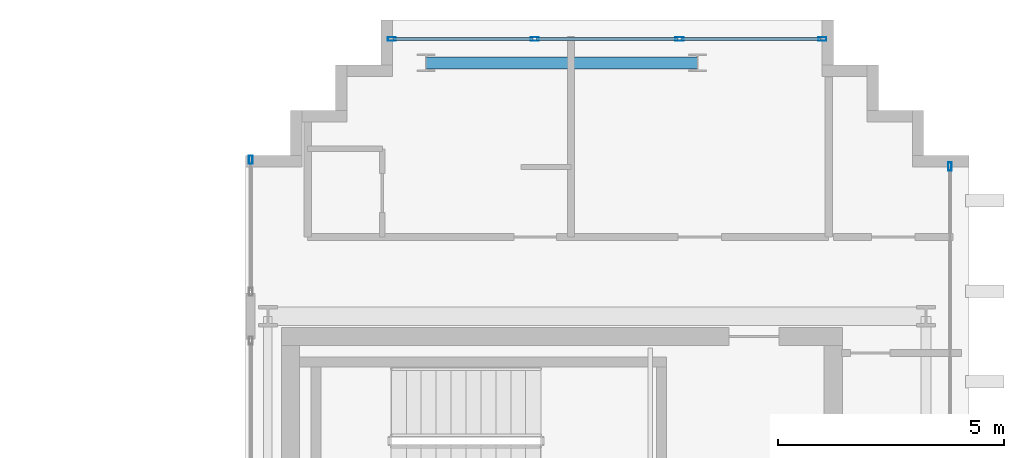
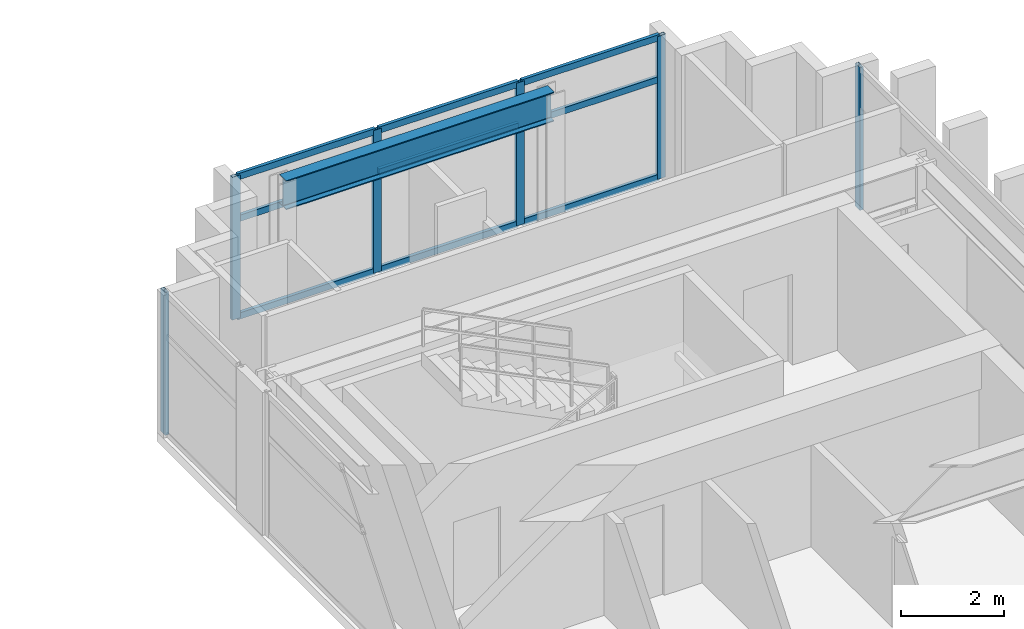
# One storey, part 17 of 25: 15 members, 1 beam, 3 elements without a shape of their own.
"""IFC4 building model written with IfcOpenShell, lengths in metres."""

from ifc_helpers import new_model, si_unit, direction, frame, origin, origin_2d, place, context, subcontext, project, spatial, hollow_rectangle, i_section, extrude, source, transform, mapped, material, layer, layer_set, material_profile, profile_set, type_object, element, aggregate, save


model = new_model("IFC4")

# Units and contexts
model_context = context("Model", 3, precision=1e-05, world=origin(), true_north=direction((0.0, 1.0)))
body_context = subcontext(model_context, "Body", "Model", "MODEL_VIEW")
ifc_project = project(units=[si_unit("LENGTHUNIT", "METRE"), si_unit("AREAUNIT", "SQUARE_METRE"), si_unit("VOLUMEUNIT", "CUBIC_METRE"), si_unit("PLANEANGLEUNIT", "RADIAN"), si_unit("MASSUNIT", "GRAM", prefix="KILO")], contexts=[model_context])

# Site, building, storey
site_placement = place(None, origin())
site = spatial("IfcSite", under=ifc_project, at=site_placement, CompositionType="ELEMENT")
building_placement = place(site_placement, origin())
building = spatial("IfcBuilding", under=site, at=building_placement, Name="Ocotamira Hotel", CompositionType="ELEMENT")
storey_placement = place(building_placement, frame((0.0, 0.0, 254.39990234375)))
storey = spatial("IfcBuildingStorey", under=building, at=storey_placement, Name="L64", CompositionType="ELEMENT", Elevation=254.39990234375)

# Beam
ifc_material_1 = material(Name="Steel ASTM A992 Grade 50", Category="steel")
ifc_material_profile_1 = material_profile(ifc_material_1, i_section(OverallWidth=0.256103515625, OverallDepth=0.693115234375, WebThickness=0.014404296875, FlangeThickness=0.023681640625, FilletRadius=0.01611328125, at=origin_2d()), Name="W27X114")
ifc_profile_set_1 = profile_set([ifc_material_profile_1], Name="Steel ASTM A992 Grade 50")
beam_type = type_object("IfcBeamType", Name="BM-PRIM-W27X114", PredefinedType="BEAM", material=ifc_profile_set_1)
shared_shape_1 = source(origin(), body_context, "Body", "SweptSolid", [
    extrude(i_section(OverallWidth=0.256103515625, OverallDepth=0.693115234375, WebThickness=0.014404296875, FlangeThickness=0.023681640625, FilletRadius=0.01611328125, at=origin_2d()), origin(), (0.0, 0.0, 1.0), 6.0),
])
beam_placement = place(storey_placement, frame((44.0, 43.050048828125, 3.03369140625), z_axis=(1.0, 0.0, 0.0), x_axis=(0.0, 1.0, 0.0)))
element("IfcBeam", 1, at=beam_placement, inside=storey, type_object=beam_type, Name="L64 Girder Y43.05 X44-50", PredefinedType="BEAM", context=body_context, shape_type="MappedRepresentation", body=[
    mapped(shared_shape_1, transform((0.0, 0.0, 0.0), scale=1.0)),
])

# Curtain wall, members
ifc_material_2 = material(Name="Anodised pale-metal aluminium and solar glass", Category="aluminium")
ifc_layer = layer(ifc_material_2, 0.2099609375)
ifc_layer_set = layer_set([ifc_layer], Name="Anodised pale-metal aluminium and solar glass")
curtain_wall_type = type_object("IfcCurtainWallType", Name="CW-SYS7-PEAK", PredefinedType="NOTDEFINED", material=ifc_layer_set)
curtain_wall_1_placement = place(storey_placement, origin())
curtain_wall_1 = element("IfcCurtainWall", 2, at=curtain_wall_1_placement, inside=storey, type_object=curtain_wall_type, Name="L64 Curtain Wall CW-7 CW-L64-EN", PredefinedType="NOTDEFINED")
ifc_material_3 = material(Name="Anodised pale-metal aluminium 6063-T6", Category="aluminium")
ifc_material_profile_2 = material_profile(ifc_material_3, hollow_rectangle(XDim=0.080078125, YDim=0.179931640625, WallThickness=0.006103515625, at=origin_2d()), Name="HSS180X80X6")
ifc_profile_set_2 = profile_set([ifc_material_profile_2], Name="Anodised pale-metal aluminium 6063-T6")
member_type_1 = type_object("IfcMemberType", Name="CWM-180X75", PredefinedType="MULLION", material=ifc_profile_set_2)
shared_shape_2 = source(origin(), body_context, "Body", "SweptSolid", [
    extrude(hollow_rectangle(XDim=0.080078125, YDim=0.179931640625, WallThickness=0.006103515625, at=origin_2d()), origin(), (0.0, 0.0, 1.0), 3.380126953125),
])
member_1_placement = place(storey_placement, frame((43.239990234375, 43.580078125, 0.0), z_axis=(0.0, 0.0, 1.0), x_axis=(0.0, 1.0, 0.0)))
member_1 = element("IfcMember", 3, at=member_1_placement, type_object=member_type_1, Name="CW-7 mullion 1", PredefinedType="MULLION", context=body_context, shape_type="MappedRepresentation", body=[
    mapped(shared_shape_2, transform((0.0, 0.0, 0.0), scale=1.0)),
])
member_2_placement = place(storey_placement, frame((46.39990234375, 43.580078125, 0.0), z_axis=(0.0, 0.0, 1.0), x_axis=(0.0, 1.0, 0.0)))
member_2 = element("IfcMember", 4, at=member_2_placement, type_object=member_type_1, Name="CW-7 mullion 2", PredefinedType="MULLION", context=body_context, shape_type="MappedRepresentation", body=[
    mapped(shared_shape_2, transform((0.0, 0.0, 0.0), scale=1.0)),
])
member_3_placement = place(storey_placement, frame((49.60009765625, 43.580078125, 0.0), z_axis=(0.0, 0.0, 1.0), x_axis=(0.0, 1.0, 0.0)))
member_3 = element("IfcMember", 5, at=member_3_placement, type_object=member_type_1, Name="CW-7 mullion 3", PredefinedType="MULLION", context=body_context, shape_type="MappedRepresentation", body=[
    mapped(shared_shape_2, transform((0.0, 0.0, 0.0), scale=1.0)),
])
member_4_placement = place(storey_placement, frame((52.760009765625, 43.580078125, 0.0), z_axis=(0.0, 0.0, 1.0), x_axis=(0.0, 1.0, 0.0)))
member_4 = element("IfcMember", 6, at=member_4_placement, type_object=member_type_1, Name="CW-7 mullion 4", PredefinedType="MULLION", context=body_context, shape_type="MappedRepresentation", body=[
    mapped(shared_shape_2, transform((0.0, 0.0, 0.0), scale=1.0)),
])

# Curtain wall, member
curtain_wall_2_placement = place(storey_placement, origin())
curtain_wall_2 = element("IfcCurtainWall", 7, at=curtain_wall_2_placement, inside=storey, type_object=curtain_wall_type, Name="L64 Curtain Wall CW-7 CW-L64-EO2", PredefinedType="NOTDEFINED")
member_5_placement = place(storey_placement, frame((55.580078125, 40.760009765625, 0.0), z_axis=(0.0, 0.0, 1.0), x_axis=(-1.0, 0.0, 0.0)))
member_5 = element("IfcMember", 8, at=member_5_placement, type_object=member_type_1, Name="CW-7 mullion 3", PredefinedType="MULLION", context=body_context, shape_type="MappedRepresentation", body=[
    mapped(shared_shape_2, transform((0.0, 0.0, 0.0), scale=1.0)),
])
aggregate(curtain_wall_2, [member_5])

curtain_wall_3_placement = place(storey_placement, origin())
curtain_wall_3 = element("IfcCurtainWall", 9, at=curtain_wall_3_placement, inside=storey, type_object=curtain_wall_type, Name="L64 Curtain Wall CW-7 CW-L64-EI4", PredefinedType="NOTDEFINED")
member_6_placement = place(storey_placement, frame((40.1201171875, 40.909912109375, 0.0), z_axis=(0.0, 0.0, 1.0), x_axis=(-1.0, 0.0, 0.0)))
member_6 = element("IfcMember", 10, at=member_6_placement, type_object=member_type_1, Name="CW-7 mullion 2", PredefinedType="MULLION", context=body_context, shape_type="MappedRepresentation", body=[
    mapped(shared_shape_2, transform((0.0, 0.0, 0.0), scale=1.0)),
])
aggregate(curtain_wall_3, [member_6])

# Member
ifc_material_profile_3 = material_profile(ifc_material_3, hollow_rectangle(XDim=0.074951171875, YDim=0.14990234375, WallThickness=0.006103515625, at=origin_2d()), Name="HSS150X75X6")
ifc_profile_set_3 = profile_set([ifc_material_profile_3], Name="Anodised pale-metal aluminium 6063-T6")
member_type_2 = type_object("IfcMemberType", Name="CWT-150X75", PredefinedType="USERDEFINED", material=ifc_profile_set_3)
shared_shape_3 = source(origin(), body_context, "Body", "SweptSolid", [
    extrude(hollow_rectangle(XDim=0.074951171875, YDim=0.14990234375, WallThickness=0.006103515625, at=origin_2d()), origin(), (0.0, 0.0, 1.0), 3.080078125),
])
member_7_placement = place(storey_placement, frame((43.280029296875, 43.580078125, 0.03759765625), z_axis=(1.0, 0.0, 0.0), x_axis=(0.0, 1.0, 0.0)))
member_7 = element("IfcMember", 11, at=member_7_placement, type_object=member_type_2, Name="CW-7 transom 1.1", ObjectType="TRANSOM", PredefinedType="USERDEFINED", context=body_context, shape_type="MappedRepresentation", body=[
    mapped(shared_shape_3, transform((0.0, 0.0, 0.0), scale=1.0)),
])

member_8_placement = place(storey_placement, frame((43.280029296875, 43.580078125, 2.35009765625), z_axis=(1.0, 0.0, 0.0), x_axis=(0.0, 1.0, 0.0)))
member_8 = element("IfcMember", 12, at=member_8_placement, type_object=member_type_2, Name="CW-7 transom 1.2", ObjectType="TRANSOM", PredefinedType="USERDEFINED", context=body_context, shape_type="MappedRepresentation", body=[
    mapped(shared_shape_3, transform((0.0, 0.0, 0.0), scale=1.0)),
])

member_9_placement = place(storey_placement, frame((43.280029296875, 43.580078125, 3.342529296875), z_axis=(1.0, 0.0, 0.0), x_axis=(0.0, 1.0, 0.0)))
member_9 = element("IfcMember", 13, at=member_9_placement, type_object=member_type_2, Name="CW-7 transom 1.3", ObjectType="TRANSOM", PredefinedType="USERDEFINED", context=body_context, shape_type="MappedRepresentation", body=[
    mapped(shared_shape_3, transform((0.0, 0.0, 0.0), scale=1.0)),
])

member_10_placement = place(storey_placement, frame((49.639892578125, 43.580078125, 0.03759765625), z_axis=(1.0, 0.0, 0.0), x_axis=(0.0, 1.0, 0.0)))
member_10 = element("IfcMember", 14, at=member_10_placement, type_object=member_type_2, Name="CW-7 transom 3.1", ObjectType="TRANSOM", PredefinedType="USERDEFINED", context=body_context, shape_type="MappedRepresentation", body=[
    mapped(shared_shape_3, transform((0.0, 0.0, 0.0), scale=1.0)),
])

member_11_placement = place(storey_placement, frame((49.639892578125, 43.580078125, 2.35009765625), z_axis=(1.0, 0.0, 0.0), x_axis=(0.0, 1.0, 0.0)))
member_11 = element("IfcMember", 15, at=member_11_placement, type_object=member_type_2, Name="CW-7 transom 3.2", ObjectType="TRANSOM", PredefinedType="USERDEFINED", context=body_context, shape_type="MappedRepresentation", body=[
    mapped(shared_shape_3, transform((0.0, 0.0, 0.0), scale=1.0)),
])

member_12_placement = place(storey_placement, frame((49.639892578125, 43.580078125, 3.342529296875), z_axis=(1.0, 0.0, 0.0), x_axis=(0.0, 1.0, 0.0)))
member_12 = element("IfcMember", 16, at=member_12_placement, type_object=member_type_2, Name="CW-7 transom 3.3", ObjectType="TRANSOM", PredefinedType="USERDEFINED", context=body_context, shape_type="MappedRepresentation", body=[
    mapped(shared_shape_3, transform((0.0, 0.0, 0.0), scale=1.0)),
])

shared_shape_4 = source(origin(), body_context, "Body", "SweptSolid", [
    extrude(hollow_rectangle(XDim=0.074951171875, YDim=0.14990234375, WallThickness=0.006103515625, at=origin_2d()), origin(), (0.0, 0.0, 1.0), 3.1201171875),
])
member_13_placement = place(storey_placement, frame((46.43994140625, 43.580078125, 0.03759765625), z_axis=(1.0, 0.0, 0.0), x_axis=(0.0, 1.0, 0.0)))
member_13 = element("IfcMember", 17, at=member_13_placement, type_object=member_type_2, Name="CW-7 transom 2.1", ObjectType="TRANSOM", PredefinedType="USERDEFINED", context=body_context, shape_type="MappedRepresentation", body=[
    mapped(shared_shape_4, transform((0.0, 0.0, 0.0), scale=1.0)),
])

member_14_placement = place(storey_placement, frame((46.43994140625, 43.580078125, 2.35009765625), z_axis=(1.0, 0.0, 0.0), x_axis=(0.0, 1.0, 0.0)))
member_14 = element("IfcMember", 18, at=member_14_placement, type_object=member_type_2, Name="CW-7 transom 2.2", ObjectType="TRANSOM", PredefinedType="USERDEFINED", context=body_context, shape_type="MappedRepresentation", body=[
    mapped(shared_shape_4, transform((0.0, 0.0, 0.0), scale=1.0)),
])

member_15_placement = place(storey_placement, frame((46.43994140625, 43.580078125, 3.342529296875), z_axis=(1.0, 0.0, 0.0), x_axis=(0.0, 1.0, 0.0)))
member_15 = element("IfcMember", 19, at=member_15_placement, type_object=member_type_2, Name="CW-7 transom 2.3", ObjectType="TRANSOM", PredefinedType="USERDEFINED", context=body_context, shape_type="MappedRepresentation", body=[
    mapped(shared_shape_4, transform((0.0, 0.0, 0.0), scale=1.0)),
])

aggregate(curtain_wall_1, [member_1, member_2, member_3, member_4, member_7, member_8, member_9, member_13, member_14, member_15, member_10, member_11, member_12])

save(model, "model.ifc")
